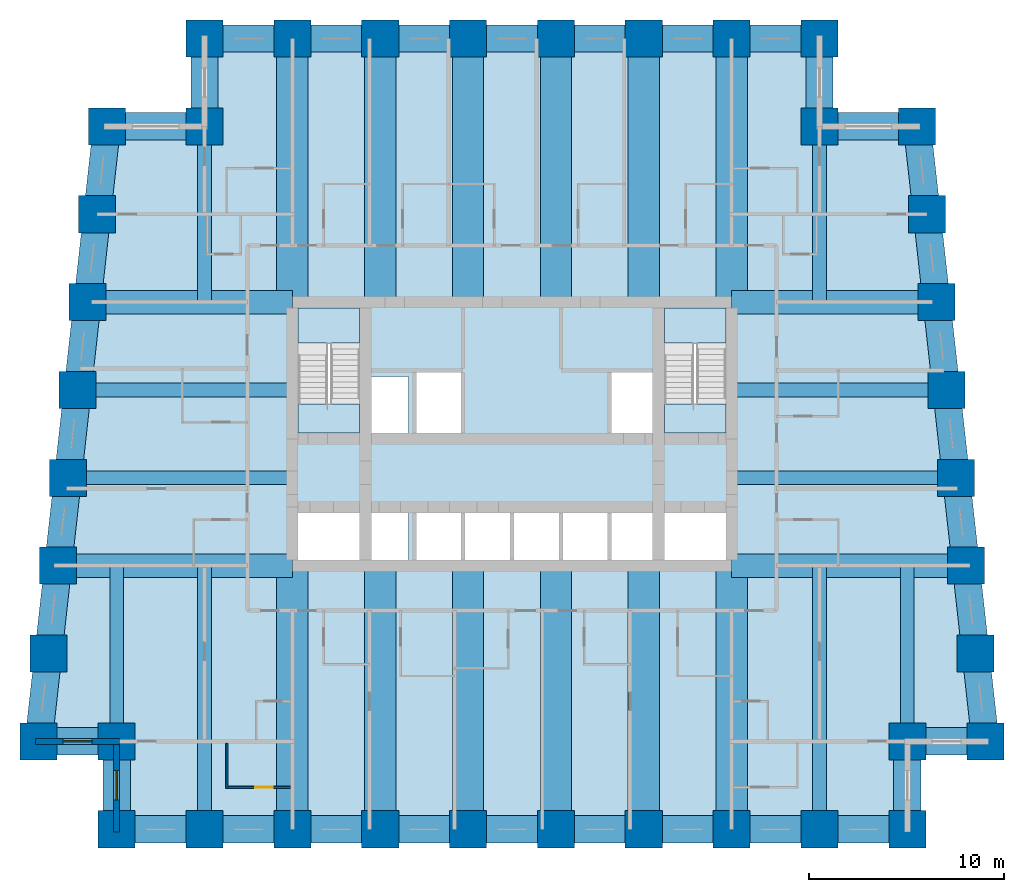
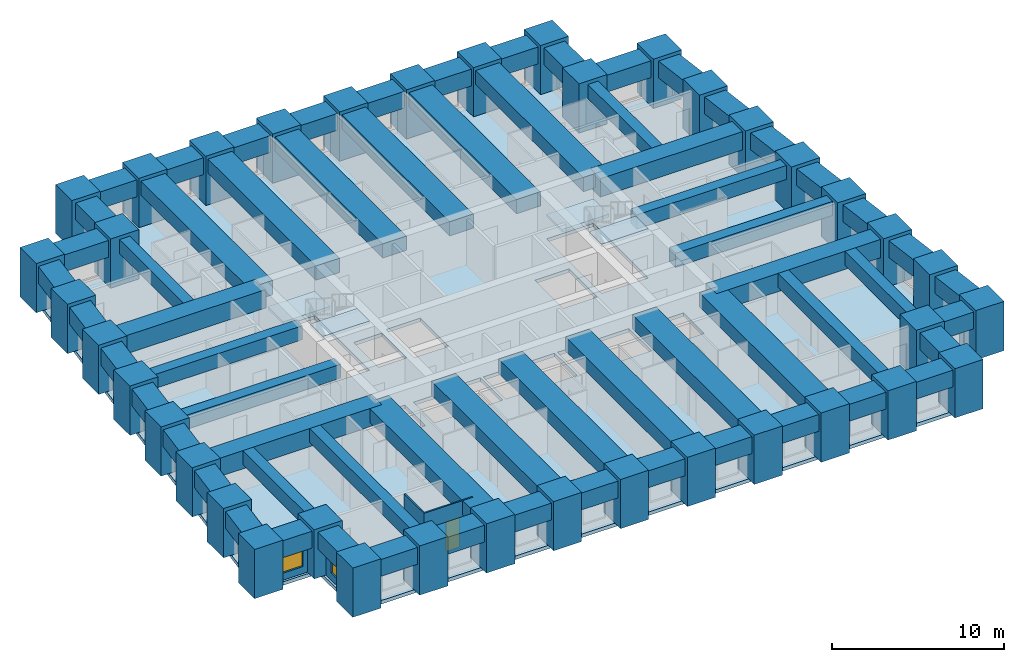
# One storey, part 1 of 8: 64 beams, 38 columns, 5 slabs, 4 walls, 2 windows, 1 door, 3 openings, 2 elements without a shape of their own.
"""IFC4 building model written with IfcOpenShell, lengths in metres."""

from ifc_helpers import new_model, si_unit, direction, frame, frame_2d, origin, origin_2d, place, context, subcontext, project, spatial, polyline, rectangle, outline, extrude, material, layer, layer_set, material_profile, profile_set, type_object, element, fill, aggregate, save


model = new_model("IFC4")

# Units and contexts
model_context = context("Model", 3, precision=1e-05, world=origin(), true_north=direction((0.0, 1.0)))
body_context = subcontext(model_context, "Body", "Model", "MODEL_VIEW")
ifc_project = project(units=[si_unit("LENGTHUNIT", "METRE"), si_unit("AREAUNIT", "SQUARE_METRE"), si_unit("VOLUMEUNIT", "CUBIC_METRE"), si_unit("PLANEANGLEUNIT", "RADIAN"), si_unit("MASSUNIT", "GRAM", prefix="KILO")], contexts=[model_context])

# Site, building, storey
site_placement = place(None, origin())
site = spatial("IfcSite", under=ifc_project, at=site_placement, CompositionType="ELEMENT")
building_placement = place(site_placement, origin())
building = spatial("IfcBuilding", under=site, at=building_placement, Name="Kilele Tower Hotel", CompositionType="ELEMENT")
storey_placement = place(building_placement, frame((0.0, 0.0, 57.699951171875)))
storey = spatial("IfcBuildingStorey", under=building, at=storey_placement, Name="L13", CompositionType="ELEMENT", Elevation=57.699951171875)

# Columns
ifc_material_1 = material(Name="Concrete C80/95", Category="concrete")
ifc_material_profile_1 = material_profile(ifc_material_1, rectangle(XDim=1.89990234375, YDim=1.89990234375, at=origin_2d()))
ifc_profile_set_1 = profile_set([ifc_material_profile_1], Name="Concrete C80/95")
column_type = type_object("IfcColumnType", Name="Tube column RC 1900x1900 C80/95", PredefinedType="COLUMN", material=ifc_profile_set_1)
for number, where, z_axis, x_axis, name in (
    (1, (0.5, 4.5, 0.0), (0.0, 0.0, 1.0), (1.0, 0.0, 0.0), "Column TC1 L13"),
    (2, (4.5, 4.5, 0.0), (0.0, 0.0, 1.0), (1.0, 0.0, 0.0), "Column TC1 L13"),
    (3, (4.5, 0.0, 0.0), (0.0, 0.0, 1.0), (1.0, 0.0, 0.0), "Column TC1 L13"),
    (4, (9.0, 0.0, 0.0), (0.0, 0.0, 1.0), (1.0, 0.0, 0.0), "Column TC1 L13"),
    (5, (13.5, 0.0, 0.0), (0.0, 0.0, 1.0), (1.0, 0.0, 0.0), "Column TC1 L13"),
    (6, (18.0, 0.0, 0.0), (0.0, 0.0, 1.0), (1.0, 0.0, 0.0), "Column TC1 L13"),
    (7, (22.5, 0.0, 0.0), (0.0, 0.0, 1.0), (1.0, 0.0, 0.0), "Column TC1 L13"),
    (8, (27.0, 0.0, 0.0), (0.0, 0.0, 1.0), (1.0, 0.0, 0.0), "Column TC1 L13"),
    (9, (31.5, 0.0, 0.0), (0.0, 0.0, 1.0), (1.0, 0.0, 0.0), "Column TC1 L13"),
    (10, (36.0, 0.0, 0.0), (0.0, 0.0, 1.0), (1.0, 0.0, 0.0), "Column TC1 L13"),
    (11, (40.5, 0.0, 0.0), (0.0, 0.0, 1.0), (1.0, 0.0, 0.0), "Column TC1 L13"),
    (12, (45.0, 0.0, 0.0), (0.0, 0.0, 1.0), (1.0, 0.0, 0.0), "Column TC1 L13"),
    (13, (45.0, 4.5, 0.0), (0.0, 0.0, 1.0), (1.0, 0.0, 0.0), "Column TC1 L13"),
    (14, (49.0, 4.5, 0.0), (0.0, 0.0, 1.0), (1.0, 0.0, 0.0), "Column TC1 L13"),
    (15, (48.5, 9.0, 0.0), (0.0, 0.0, 1.0), (1.0, 0.0, 0.0), "Column TC1 L13"),
    (16, (48.0, 13.5, 0.0), (0.0, 0.0, 1.0), (1.0, 0.0, 0.0), "Column TC1 L13"),
    (17, (47.5, 18.0, 0.0), (0.0, 0.0, 1.0), (1.0, 0.0, 0.0), "Column TC1 L13"),
    (18, (47.0, 22.5, 0.0), (0.0, 0.0, 1.0), (1.0, 0.0, 0.0), "Column TC1 L13"),
    (19, (46.5, 27.0, 0.0), (0.0, 0.0, 1.0), (1.0, 0.0, 0.0), "Column TC1 L13"),
    (20, (46.0, 31.5, 0.0), (0.0, 0.0, 1.0), (1.0, 0.0, 0.0), "Column TC1 L13"),
    (21, (45.5, 36.0, 0.0), (0.0, 0.0, 1.0), (1.0, 0.0, 0.0), "Column TC1 L13"),
    (22, (40.5, 36.0, 0.0), (0.0, 0.0, 1.0), (1.0, 0.0, 0.0), "Column TC1 L13"),
    (23, (40.5, 40.5, 0.0), (0.0, 0.0, 1.0), (1.0, 0.0, 0.0), "Column TC1 L13"),
    (24, (36.0, 40.5, 0.0), (0.0, 0.0, 1.0), (1.0, 0.0, 0.0), "Column TC1 L13"),
    (25, (31.5, 40.5, 0.0), (0.0, 0.0, 1.0), (1.0, 0.0, 0.0), "Column TC1 L13"),
    (26, (27.0, 40.5, 0.0), (0.0, 0.0, 1.0), (1.0, 0.0, 0.0), "Column TC1 L13"),
    (27, (22.5, 40.5, 0.0), (0.0, 0.0, 1.0), (1.0, 0.0, 0.0), "Column TC1 L13"),
    (28, (18.0, 40.5, 0.0), (0.0, 0.0, 1.0), (1.0, 0.0, 0.0), "Column TC1 L13"),
    (29, (13.5, 40.5, 0.0), (0.0, 0.0, 1.0), (1.0, 0.0, 0.0), "Column TC1 L13"),
    (30, (9.0, 40.5, 0.0), (0.0, 0.0, 1.0), (1.0, 0.0, 0.0), "Column TC1 L13"),
    (31, (9.0, 36.0, 0.0), (0.0, 0.0, 1.0), (1.0, 0.0, 0.0), "Column TC1 L13"),
    (32, (4.0, 36.0, 0.0), (0.0, 0.0, 1.0), (1.0, 0.0, 0.0), "Column TC1 L13"),
    (33, (3.5, 31.5, 0.0), (0.0, 0.0, 1.0), (1.0, 0.0, 0.0), "Column TC1 L13"),
    (34, (3.0, 27.0, 0.0), (0.0, 0.0, 1.0), (1.0, 0.0, 0.0), "Column TC1 L13"),
    (35, (2.5, 22.5, 0.0), (0.0, 0.0, 1.0), (1.0, 0.0, 0.0), "Column TC1 L13"),
    (36, (2.0, 18.0, 0.0), (0.0, 0.0, 1.0), (1.0, 0.0, 0.0), "Column TC1 L13"),
    (37, (1.5, 13.5, 0.0), (0.0, 0.0, 1.0), (1.0, 0.0, 0.0), "Column TC1 L13"),
    (38, (1.0, 9.0, 0.0), (0.0, 0.0, 1.0), (1.0, 0.0, 0.0), "Column TC1 L13"),
):
    element("IfcColumn", number, at=place(storey_placement, frame(where, z_axis=z_axis, x_axis=x_axis)), inside=storey, type_object=column_type, Name=name, PredefinedType="COLUMN", context=body_context, shape_type="SweptSolid", body=[
        extrude(rectangle(XDim=1.89990234375, YDim=1.89990234375, at=origin_2d()), origin(), (0.0, 0.0, 1.0), 3.5),
    ])

# Beams
ifc_material_2 = material(Name="Concrete C60/75", Category="concrete")
ifc_material_profile_2 = material_profile(ifc_material_2, rectangle(XDim=1.60009765625, YDim=1.0, at=origin_2d()))
ifc_profile_set_2 = profile_set([ifc_material_profile_2], Name="Concrete C60/75")
beam_type_1 = type_object("IfcBeamType", Name="Beam RC 1600x1000 C60/75", PredefinedType="BEAM", material=ifc_profile_set_2)
for number, where, z_axis, x_axis, name in (
    (39, (13.5, 0.0, 2.75), (0.0, 1.0, 0.0), (-1.0, 0.0, 0.0), "Beam BC1 level L14"),
    (40, (18.0, 0.0, 2.75), (0.0, 1.0, 0.0), (-1.0, 0.0, 0.0), "Beam BC1 level L14"),
    (41, (22.5, 0.0, 2.75), (0.0, 1.0, 0.0), (-1.0, 0.0, 0.0), "Beam BC1 level L14"),
    (42, (27.0, 0.0, 2.75), (0.0, 1.0, 0.0), (-1.0, 0.0, 0.0), "Beam BC1 level L14"),
    (43, (31.5, 0.0, 2.75), (0.0, 1.0, 0.0), (-1.0, 0.0, 0.0), "Beam BC1 level L14"),
    (44, (36.0, 0.0, 2.75), (0.0, 1.0, 0.0), (-1.0, 0.0, 0.0), "Beam BC1 level L14"),
    (45, (36.0, 40.5, 2.75), (0.0, -1.0, 0.0), (1.0, 0.0, 0.0), "Beam BC1 level L14"),
    (46, (31.5, 40.5, 2.75), (0.0, -1.0, 0.0), (1.0, 0.0, 0.0), "Beam BC1 level L14"),
    (47, (27.0, 40.5, 2.75), (0.0, -1.0, 0.0), (1.0, 0.0, 0.0), "Beam BC1 level L14"),
    (48, (22.5, 40.5, 2.75), (0.0, -1.0, 0.0), (1.0, 0.0, 0.0), "Beam BC1 level L14"),
    (49, (18.0, 40.5, 2.75), (0.0, -1.0, 0.0), (1.0, 0.0, 0.0), "Beam BC1 level L14"),
    (50, (13.5, 40.5, 2.75), (0.0, -1.0, 0.0), (1.0, 0.0, 0.0), "Beam BC1 level L14"),
):
    element("IfcBeam", number, at=place(storey_placement, frame(where, z_axis=z_axis, x_axis=x_axis)), inside=storey, type_object=beam_type_1, Name=name, PredefinedType="BEAM", context=body_context, shape_type="SweptSolid", body=[
        extrude(rectangle(XDim=1.60009765625, YDim=1.0, at=origin_2d()), origin(), (0.0, 0.0, 1.0), 13.5),
    ])
ifc_material_3 = material(Name="Concrete C60/75", Category="concrete")
ifc_material_profile_3 = material_profile(ifc_material_3, rectangle(XDim=0.699951171875, YDim=1.0, at=origin_2d()))
ifc_profile_set_3 = profile_set([ifc_material_profile_3], Name="Concrete C60/75")
beam_type_2 = type_object("IfcBeamType", Name="Beam RC 700x1000 C60/75", PredefinedType="BEAM", material=ifc_profile_set_3)
for number, where, z_axis, x_axis, name in (
    (51, (9.0, 0.0, 2.75), (0.0, 1.0, 0.0), (-1.0, 0.0, 0.0), "Beam B4 level L14"),
    (52, (40.5, 0.0, 2.75), (0.0, 1.0, 0.0), (-1.0, 0.0, 0.0), "Beam B4 level L14"),
):
    element("IfcBeam", number, at=place(storey_placement, frame(where, z_axis=z_axis, x_axis=x_axis)), inside=storey, type_object=beam_type_2, Name=name, PredefinedType="BEAM", context=body_context, shape_type="SweptSolid", body=[
        extrude(rectangle(XDim=0.699951171875, YDim=1.0, at=origin_2d()), origin(), (0.0, 0.0, 1.0), 13.5),
    ])
ifc_material_4 = material(Name="Concrete C60/75", Category="concrete")
ifc_material_profile_4 = material_profile(ifc_material_4, rectangle(XDim=0.699951171875, YDim=1.0, at=origin_2d()))
ifc_profile_set_4 = profile_set([ifc_material_profile_4], Name="Concrete C60/75")
beam_type_3 = type_object("IfcBeamType", Name="Beam RC 700x1000 C60/75 mid span", PredefinedType="BEAM", material=ifc_profile_set_4)
for number, where, z_axis, x_axis, name in (
    (53, (4.5, 4.5, 2.75), (0.0, 1.0, 0.0), (-1.0, 0.0, 0.0), "Beam B5 level L14"),
    (54, (45.0, 4.5, 2.75), (0.0, 1.0, 0.0), (-1.0, 0.0, 0.0), "Beam B5 level L14"),
):
    element("IfcBeam", number, at=place(storey_placement, frame(where, z_axis=z_axis, x_axis=x_axis)), inside=storey, type_object=beam_type_3, Name=name, PredefinedType="BEAM", context=body_context, shape_type="SweptSolid", body=[
        extrude(rectangle(XDim=0.699951171875, YDim=1.0, at=origin_2d()), origin(), (0.0, 0.0, 1.0), 9.0),
    ])
beam_1_placement = place(storey_placement, frame((47.5, 18.0, 2.75), z_axis=(-1.0, 0.0, 0.0), x_axis=(0.0, -1.0, 0.0)))
element("IfcBeam", 55, at=beam_1_placement, inside=storey, type_object=beam_type_3, Name="Beam B5 level L14", PredefinedType="BEAM", context=body_context, shape_type="SweptSolid", body=[
    extrude(rectangle(XDim=0.699951171875, YDim=1.0, at=origin_2d()), origin(), (0.0, 0.0, 1.0), 11.5),
])
beam_2_placement = place(storey_placement, frame((47.0, 22.5, 2.75), z_axis=(-1.0, 0.0, 0.0), x_axis=(0.0, -1.0, 0.0)))
element("IfcBeam", 56, at=beam_2_placement, inside=storey, type_object=beam_type_3, Name="Beam B5 level L14", PredefinedType="BEAM", context=body_context, shape_type="SweptSolid", body=[
    extrude(rectangle(XDim=0.699951171875, YDim=1.0, at=origin_2d()), origin(), (0.0, 0.0, 1.0), 11.0),
])
for number, where, z_axis, x_axis, name in (
    (57, (40.5, 36.0, 2.75), (0.0, -1.0, 0.0), (1.0, 0.0, 0.0), "Beam B5 level L14"),
    (58, (9.0, 36.0, 2.75), (0.0, -1.0, 0.0), (1.0, 0.0, 0.0), "Beam B5 level L14"),
):
    element("IfcBeam", number, at=place(storey_placement, frame(where, z_axis=z_axis, x_axis=x_axis)), inside=storey, type_object=beam_type_3, Name=name, PredefinedType="BEAM", context=body_context, shape_type="SweptSolid", body=[
        extrude(rectangle(XDim=0.699951171875, YDim=1.0, at=origin_2d()), origin(), (0.0, 0.0, 1.0), 9.0),
    ])
beam_3_placement = place(storey_placement, frame((2.5, 22.5, 2.75), z_axis=(1.0, 0.0, 0.0), x_axis=(0.0, 1.0, 0.0)))
element("IfcBeam", 59, at=beam_3_placement, inside=storey, type_object=beam_type_3, Name="Beam B5 level L14", PredefinedType="BEAM", context=body_context, shape_type="SweptSolid", body=[
    extrude(rectangle(XDim=0.699951171875, YDim=1.0, at=origin_2d()), origin(), (0.0, 0.0, 1.0), 11.0),
])
beam_4_placement = place(storey_placement, frame((2.0, 18.0, 2.75), z_axis=(1.0, 0.0, 0.0), x_axis=(0.0, 1.0, 0.0)))
element("IfcBeam", 60, at=beam_4_placement, inside=storey, type_object=beam_type_3, Name="Beam B5 level L14", PredefinedType="BEAM", context=body_context, shape_type="SweptSolid", body=[
    extrude(rectangle(XDim=0.699951171875, YDim=1.0, at=origin_2d()), origin(), (0.0, 0.0, 1.0), 11.5),
])
ifc_material_5 = material(Name="Concrete C60/75", Category="concrete")
ifc_material_profile_5 = material_profile(ifc_material_5, rectangle(XDim=1.199951171875, YDim=1.300048828125, at=origin_2d()))
ifc_profile_set_5 = profile_set([ifc_material_profile_5], Name="Concrete C60/75")
beam_type_4 = type_object("IfcBeamType", Name="Girder RC 1200x1300 C60/75", PredefinedType="BEAM", material=ifc_profile_set_5)
for number, where, z_axis, x_axis, name in (
    (61, (48.0, 13.5, 2.60009765625), (-1.0, 0.0, 0.0), (0.0, -1.0, 0.0), "Girder G1 level L14"),
    (62, (1.5, 13.5, 2.60009765625), (1.0, 0.0, 0.0), (0.0, 1.0, 0.0), "Girder G1 level L14"),
):
    element("IfcBeam", number, at=place(storey_placement, frame(where, z_axis=z_axis, x_axis=x_axis)), inside=storey, type_object=beam_type_4, Name=name, PredefinedType="BEAM", context=body_context, shape_type="SweptSolid", body=[
        extrude(rectangle(XDim=1.199951171875, YDim=1.300048828125, at=origin_2d()), origin(), (0.0, 0.0, 1.0), 12.0),
    ])
ifc_material_6 = material(Name="Concrete C60/75", Category="concrete")
ifc_material_profile_6 = material_profile(ifc_material_6, rectangle(XDim=1.199951171875, YDim=1.300048828125, at=origin_2d()))
ifc_profile_set_6 = profile_set([ifc_material_profile_6], Name="Concrete C60/75")
beam_type_5 = type_object("IfcBeamType", Name="Girder RC 1200x1300 C60/75 mid span", PredefinedType="BEAM", material=ifc_profile_set_6)
for number, where, z_axis, x_axis, name in (
    (63, (46.5, 27.0, 2.60009765625), (-1.0, 0.0, 0.0), (0.0, -1.0, 0.0), "Girder G3 level L14"),
    (64, (3.0, 27.0, 2.60009765625), (1.0, 0.0, 0.0), (0.0, 1.0, 0.0), "Girder G3 level L14"),
):
    element("IfcBeam", number, at=place(storey_placement, frame(where, z_axis=z_axis, x_axis=x_axis)), inside=storey, type_object=beam_type_5, Name=name, PredefinedType="BEAM", context=body_context, shape_type="SweptSolid", body=[
        extrude(rectangle(XDim=1.199951171875, YDim=1.300048828125, at=origin_2d()), origin(), (0.0, 0.0, 1.0), 10.5),
    ])
ifc_material_7 = material(Name="Concrete C60/75", Category="concrete")
ifc_material_profile_7 = material_profile(ifc_material_7, rectangle(XDim=1.39990234375, YDim=1.199951171875, at=origin_2d()))
ifc_profile_set_7 = profile_set([ifc_material_profile_7], Name="Concrete C60/75")
beam_type_6 = type_object("IfcBeamType", Name="Spandrel RC 1400x1200 C60/75", PredefinedType="SPANDREL", material=ifc_profile_set_7)
beam_5_placement = place(storey_placement, frame((0.5, 4.5, 2.650146484375), z_axis=(1.0, 0.0, 0.0), x_axis=(0.0, 1.0, 0.0)))
element("IfcBeam", 65, at=beam_5_placement, inside=storey, type_object=beam_type_6, Name="Spandrel SP10 level L14", PredefinedType="SPANDREL", context=body_context, shape_type="SweptSolid", body=[
    extrude(rectangle(XDim=1.39990234375, YDim=1.199951171875, at=origin_2d()), origin(), (0.0, 0.0, 1.0), 4.0),
])
for number, where, z_axis, x_axis, name in (
    (66, (4.5, 4.5, 2.650146484375), (0.0, -1.0, 0.0), (1.0, 0.0, 0.0), "Spandrel SP10 level L14"),
    (67, (4.5, 0.0, 2.650146484375), (1.0, 0.0, 0.0), (0.0, 1.0, 0.0), "Spandrel SP10 level L14"),
    (68, (9.0, 0.0, 2.650146484375), (1.0, 0.0, 0.0), (0.0, 1.0, 0.0), "Spandrel SP10 level L14"),
    (69, (13.5, 0.0, 2.650146484375), (1.0, 0.0, 0.0), (0.0, 1.0, 0.0), "Spandrel SP10 level L14"),
    (70, (18.0, 0.0, 2.650146484375), (1.0, 0.0, 0.0), (0.0, 1.0, 0.0), "Spandrel SP10 level L14"),
    (71, (22.5, 0.0, 2.650146484375), (1.0, 0.0, 0.0), (0.0, 1.0, 0.0), "Spandrel SP10 level L14"),
    (72, (27.0, 0.0, 2.650146484375), (1.0, 0.0, 0.0), (0.0, 1.0, 0.0), "Spandrel SP10 level L14"),
    (73, (31.5, 0.0, 2.650146484375), (1.0, 0.0, 0.0), (0.0, 1.0, 0.0), "Spandrel SP10 level L14"),
    (74, (36.0, 0.0, 2.650146484375), (1.0, 0.0, 0.0), (0.0, 1.0, 0.0), "Spandrel SP10 level L14"),
    (75, (40.5, 0.0, 2.650146484375), (1.0, 0.0, 0.0), (0.0, 1.0, 0.0), "Spandrel SP10 level L14"),
    (76, (45.0, 0.0, 2.650146484375), (0.0, 1.0, 0.0), (-1.0, 0.0, 0.0), "Spandrel SP10 level L14"),
):
    element("IfcBeam", number, at=place(storey_placement, frame(where, z_axis=z_axis, x_axis=x_axis)), inside=storey, type_object=beam_type_6, Name=name, PredefinedType="SPANDREL", context=body_context, shape_type="SweptSolid", body=[
        extrude(rectangle(XDim=1.39990234375, YDim=1.199951171875, at=origin_2d()), origin(), (0.0, 0.0, 1.0), 4.5),
    ])
beam_6_placement = place(storey_placement, frame((45.0, 4.5, 2.650146484375), z_axis=(1.0, 0.0, 0.0), x_axis=(0.0, 1.0, 0.0)))
element("IfcBeam", 77, at=beam_6_placement, inside=storey, type_object=beam_type_6, Name="Spandrel SP10 level L14", PredefinedType="SPANDREL", context=body_context, shape_type="SweptSolid", body=[
    extrude(rectangle(XDim=1.39990234375, YDim=1.199951171875, at=origin_2d()), origin(), (0.0, 0.0, 1.0), 4.0),
])
for number, where, z_axis, x_axis, name in (
    (78, (49.0, 4.5, 2.650146484375), (-0.110431526075, 0.993883734674, 0.0), (-0.993883734674, -0.110431526075, 0.0), "Spandrel SP10 level L14"),
    (79, (48.5, 9.0, 2.650146484375), (-0.110431526075, 0.993883734674, 0.0), (-0.993883734674, -0.110431526075, 0.0), "Spandrel SP10 level L14"),
    (80, (48.0, 13.5, 2.650146484375), (-0.110431526075, 0.993883734674, 0.0), (-0.993883734674, -0.110431526075, 0.0), "Spandrel SP10 level L14"),
    (81, (47.5, 18.0, 2.650146484375), (-0.110431526075, 0.993883734674, 0.0), (-0.993883734674, -0.110431526075, 0.0), "Spandrel SP10 level L14"),
    (82, (47.0, 22.5, 2.650146484375), (-0.110431526075, 0.993883734674, 0.0), (-0.993883734674, -0.110431526075, 0.0), "Spandrel SP10 level L14"),
    (83, (46.5, 27.0, 2.650146484375), (-0.110431526075, 0.993883734674, 0.0), (-0.993883734674, -0.110431526075, 0.0), "Spandrel SP10 level L14"),
    (84, (46.0, 31.5, 2.650146484375), (-0.110431526075, 0.993883734674, 0.0), (-0.993883734674, -0.110431526075, 0.0), "Spandrel SP10 level L14"),
):
    element("IfcBeam", number, at=place(storey_placement, frame(where, z_axis=z_axis, x_axis=x_axis)), inside=storey, type_object=beam_type_6, Name=name, PredefinedType="SPANDREL", context=body_context, shape_type="SweptSolid", body=[
        extrude(rectangle(XDim=1.39990234375, YDim=1.199951171875, at=origin_2d()), origin(), (0.0, 0.0, 1.0), 4.527587890625),
    ])
beam_7_placement = place(storey_placement, frame((45.5, 36.0, 2.650146484375), z_axis=(-1.0, 0.0, 0.0), x_axis=(0.0, -1.0, 0.0)))
element("IfcBeam", 85, at=beam_7_placement, inside=storey, type_object=beam_type_6, Name="Spandrel SP10 level L14", PredefinedType="SPANDREL", context=body_context, shape_type="SweptSolid", body=[
    extrude(rectangle(XDim=1.39990234375, YDim=1.199951171875, at=origin_2d()), origin(), (0.0, 0.0, 1.0), 5.0),
])
for number, where, z_axis, x_axis, name in (
    (86, (40.5, 36.0, 2.650146484375), (0.0, 1.0, 0.0), (-1.0, 0.0, 0.0), "Spandrel SP10 level L14"),
    (87, (40.5, 40.5, 2.650146484375), (-1.0, 0.0, 0.0), (0.0, -1.0, 0.0), "Spandrel SP10 level L14"),
    (88, (36.0, 40.5, 2.650146484375), (-1.0, 0.0, 0.0), (0.0, -1.0, 0.0), "Spandrel SP10 level L14"),
    (89, (31.5, 40.5, 2.650146484375), (-1.0, 0.0, 0.0), (0.0, -1.0, 0.0), "Spandrel SP10 level L14"),
    (90, (27.0, 40.5, 2.650146484375), (-1.0, 0.0, 0.0), (0.0, -1.0, 0.0), "Spandrel SP10 level L14"),
    (91, (22.5, 40.5, 2.650146484375), (-1.0, 0.0, 0.0), (0.0, -1.0, 0.0), "Spandrel SP10 level L14"),
    (92, (18.0, 40.5, 2.650146484375), (-1.0, 0.0, 0.0), (0.0, -1.0, 0.0), "Spandrel SP10 level L14"),
    (93, (13.5, 40.5, 2.650146484375), (-1.0, 0.0, 0.0), (0.0, -1.0, 0.0), "Spandrel SP10 level L14"),
    (94, (9.0, 40.5, 2.650146484375), (0.0, -1.0, 0.0), (1.0, 0.0, 0.0), "Spandrel SP10 level L14"),
):
    element("IfcBeam", number, at=place(storey_placement, frame(where, z_axis=z_axis, x_axis=x_axis)), inside=storey, type_object=beam_type_6, Name=name, PredefinedType="SPANDREL", context=body_context, shape_type="SweptSolid", body=[
        extrude(rectangle(XDim=1.39990234375, YDim=1.199951171875, at=origin_2d()), origin(), (0.0, 0.0, 1.0), 4.5),
    ])
beam_8_placement = place(storey_placement, frame((9.0, 36.0, 2.650146484375), z_axis=(-1.0, 0.0, 0.0), x_axis=(0.0, -1.0, 0.0)))
element("IfcBeam", 95, at=beam_8_placement, inside=storey, type_object=beam_type_6, Name="Spandrel SP10 level L14", PredefinedType="SPANDREL", context=body_context, shape_type="SweptSolid", body=[
    extrude(rectangle(XDim=1.39990234375, YDim=1.199951171875, at=origin_2d()), origin(), (0.0, 0.0, 1.0), 5.0),
])
for number, where, z_axis, x_axis, name in (
    (96, (4.0, 36.0, 2.650146484375), (-0.110431526075, -0.993883734674, 0.0), (0.993883734674, -0.110431526075, 0.0), "Spandrel SP10 level L14"),
    (97, (3.5, 31.5, 2.650146484375), (-0.110431526075, -0.993883734674, 0.0), (0.993883734674, -0.110431526075, 0.0), "Spandrel SP10 level L14"),
    (98, (3.0, 27.0, 2.650146484375), (-0.110431526075, -0.993883734674, 0.0), (0.993883734674, -0.110431526075, 0.0), "Spandrel SP10 level L14"),
    (99, (2.5, 22.5, 2.650146484375), (-0.110431526075, -0.993883734674, 0.0), (0.993883734674, -0.110431526075, 0.0), "Spandrel SP10 level L14"),
    (100, (2.0, 18.0, 2.650146484375), (-0.110431526075, -0.993883734674, 0.0), (0.993883734674, -0.110431526075, 0.0), "Spandrel SP10 level L14"),
    (101, (1.5, 13.5, 2.650146484375), (-0.110431526075, -0.993883734674, 0.0), (0.993883734674, -0.110431526075, 0.0), "Spandrel SP10 level L14"),
    (102, (1.0, 9.0, 2.650146484375), (-0.110431526075, -0.993883734674, 0.0), (0.993883734674, -0.110431526075, 0.0), "Spandrel SP10 level L14"),
):
    element("IfcBeam", number, at=place(storey_placement, frame(where, z_axis=z_axis, x_axis=x_axis)), inside=storey, type_object=beam_type_6, Name=name, PredefinedType="SPANDREL", context=body_context, shape_type="SweptSolid", body=[
        extrude(rectangle(XDim=1.39990234375, YDim=1.199951171875, at=origin_2d()), origin(), (0.0, 0.0, 1.0), 4.527587890625),
    ])

# Slab
ifc_material_8 = material(Name="Concrete C60/75", Category="concrete")
ifc_layer_1 = layer(ifc_material_8, 0.25)
ifc_layer_set_1 = layer_set([ifc_layer_1], Name="Concrete C60/75")
slab_type_1 = type_object("IfcSlabType", Name="Floor slab 250", PredefinedType="FLOOR", material=ifc_layer_set_1)
slab_1_placement = place(storey_placement, frame((0.0, 0.0, -0.25)))
element("IfcSlab", 103, at=slab_1_placement, inside=storey, type_object=slab_type_1, Name="Floor slab L13", PredefinedType="FLOOR", context=body_context, shape_type="SweptSolid", body=[
    extrude(outline(polyline([(8.699951171875, 36.300048828125), (8.699951171875, 40.800048828125), (40.800048828125, 40.800048828125), (40.800048828125, 36.300048828125), (45.7685546875, 36.300048828125), (49.335205078125, 4.199951171875), (45.300048828125, 4.199951171875), (45.300048828125, -0.300048828125), (4.199951171875, -0.300048828125), (4.199951171875, 4.199951171875), (0.164794921875, 4.199951171875), (3.7314453125, 36.300048828125), (8.699951171875, 36.300048828125)]), holes=[polyline([(16.949951171875, 16.199951171875), (13.800048828125, 16.199951171875), (13.800048828125, 13.800048828125), (16.949951171875, 13.800048828125), (16.949951171875, 16.199951171875)]), polyline([(19.449951171875, 13.800048828125), (19.449951171875, 16.199951171875), (17.550048828125, 16.199951171875), (17.550048828125, 13.800048828125), (19.449951171875, 13.800048828125)]), polyline([(22.14990234375, 13.800048828125), (22.14990234375, 16.39990234375), (19.85009765625, 16.39990234375), (19.85009765625, 13.800048828125), (22.14990234375, 13.800048828125)]), polyline([(24.64990234375, 16.39990234375), (22.35009765625, 16.39990234375), (22.35009765625, 13.800048828125), (24.64990234375, 13.800048828125), (24.64990234375, 16.39990234375)]), polyline([(19.449951171875, 20.300048828125), (19.449951171875, 23.199951171875), (17.550048828125, 23.199951171875), (17.550048828125, 20.300048828125), (19.449951171875, 20.300048828125)]), polyline([(22.14990234375, 20.10009765625), (22.14990234375, 23.39990234375), (19.85009765625, 23.39990234375), (19.85009765625, 20.10009765625), (22.14990234375, 20.10009765625)]), polyline([(16.949951171875, 26.699951171875), (13.800048828125, 26.699951171875), (13.800048828125, 20.300048828125), (16.949951171875, 20.300048828125), (16.949951171875, 26.699951171875)]), polyline([(35.699951171875, 13.800048828125), (35.699951171875, 16.199951171875), (32.550048828125, 16.199951171875), (32.550048828125, 13.800048828125), (35.699951171875, 13.800048828125)]), polyline([(27.14990234375, 13.800048828125), (27.14990234375, 16.39990234375), (24.85009765625, 16.39990234375), (24.85009765625, 13.800048828125), (27.14990234375, 13.800048828125)]), polyline([(29.64990234375, 13.800048828125), (29.64990234375, 16.39990234375), (27.35009765625, 16.39990234375), (27.35009765625, 13.800048828125), (29.64990234375, 13.800048828125)]), polyline([(32.14990234375, 13.800048828125), (32.14990234375, 16.39990234375), (29.85009765625, 16.39990234375), (29.85009765625, 13.800048828125), (32.14990234375, 13.800048828125)]), polyline([(32.14990234375, 20.10009765625), (32.14990234375, 23.39990234375), (29.85009765625, 23.39990234375), (29.85009765625, 20.10009765625), (32.14990234375, 20.10009765625)]), polyline([(35.699951171875, 20.300048828125), (35.699951171875, 26.699951171875), (32.550048828125, 26.699951171875), (32.550048828125, 20.300048828125), (35.699951171875, 20.300048828125)])]), origin(), (0.0, 0.0, 1.0), 0.25),
])

# Stair, slabs
ifc_material_9 = material(Name="Precast concrete C40/50", Category="concrete")
stair_type = type_object("IfcStairType", Name="Stair 1475 x 3500", PredefinedType="HALF_TURN_STAIR", material=ifc_material_9)
stair_1_placement = place(storey_placement, origin())
stair_1 = element("IfcStair", 104, at=stair_1_placement, inside=storey, type_object=stair_type, Name="Stair 1 L13", PredefinedType="HALF_TURN_STAIR")
ifc_material_10 = material(Name="Precast concrete C40/50", Category="concrete")
ifc_layer_2 = layer(ifc_material_10, 0.199951171875)
ifc_layer_set_2 = layer_set([ifc_layer_2], Name="Precast concrete C40/50")
slab_type_2 = type_object("IfcSlabType", Name="Stair landing 200", PredefinedType="LANDING", material=ifc_layer_set_2)
slab_2_placement = place(storey_placement, frame((0.0, 0.0, 1.550048828125)))
slab_2 = element("IfcSlab", 105, at=slab_2_placement, type_object=slab_type_2, Name="ST1 landing 1", PredefinedType="LANDING", context=body_context, shape_type="SweptSolid", body=[
    extrude(outline(polyline([(13.800048828125, 24.89501953125), (16.949951171875, 24.89501953125), (16.949951171875, 26.699951171875), (13.800048828125, 26.699951171875), (13.800048828125, 24.89501953125)])), origin(), (0.0, 0.0, 1.0), 0.199951171875),
])
slab_3_placement = place(storey_placement, frame((0.0, 0.0, 3.300048828125)))
slab_3 = element("IfcSlab", 106, at=slab_3_placement, type_object=slab_type_2, Name="ST1 landing 2", PredefinedType="LANDING", context=body_context, shape_type="SweptSolid", body=[
    extrude(outline(polyline([(13.800048828125, 20.300048828125), (16.949951171875, 20.300048828125), (16.949951171875, 21.77490234375), (13.800048828125, 21.77490234375), (13.800048828125, 20.300048828125)])), origin(), (0.0, 0.0, 1.0), 0.199951171875),
])
aggregate(stair_1, [slab_2, slab_3])

stair_2_placement = place(storey_placement, origin())
stair_2 = element("IfcStair", 107, at=stair_2_placement, inside=storey, type_object=stair_type, Name="Stair 2 L13", PredefinedType="HALF_TURN_STAIR")
slab_4_placement = place(storey_placement, frame((0.0, 0.0, 1.550048828125)))
slab_4 = element("IfcSlab", 108, at=slab_4_placement, type_object=slab_type_2, Name="ST2 landing 1", PredefinedType="LANDING", context=body_context, shape_type="SweptSolid", body=[
    extrude(outline(polyline([(32.550048828125, 24.89501953125), (35.699951171875, 24.89501953125), (35.699951171875, 26.699951171875), (32.550048828125, 26.699951171875), (32.550048828125, 24.89501953125)])), origin(), (0.0, 0.0, 1.0), 0.199951171875),
])
slab_5_placement = place(storey_placement, frame((0.0, 0.0, 3.300048828125)))
slab_5 = element("IfcSlab", 109, at=slab_5_placement, type_object=slab_type_2, Name="ST2 landing 2", PredefinedType="LANDING", context=body_context, shape_type="SweptSolid", body=[
    extrude(outline(polyline([(32.550048828125, 20.300048828125), (35.699951171875, 20.300048828125), (35.699951171875, 21.77490234375), (32.550048828125, 21.77490234375), (32.550048828125, 20.300048828125)])), origin(), (0.0, 0.0, 1.0), 0.199951171875),
])
aggregate(stair_2, [slab_4, slab_5])

# Wall
ifc_material_11 = material(Name="Moisture-resistant board")
ifc_layer_3 = layer(ifc_material_11, 0.10009765625)
ifc_layer_set_3 = layer_set([ifc_layer_3], Name="Moisture-resistant board")
wall_type_1 = type_object("IfcWallType", Name="Bathroom partition 100", PredefinedType="PLUMBINGWALL", material=ifc_layer_set_3)
wall_1_placement = place(storey_placement, frame((10.14990234375, 4.39990234375, 0.0), z_axis=(0.0, 0.0, 1.0), x_axis=(0.0, -1.0, 0.0)))
element("IfcWall", 110, at=wall_1_placement, inside=storey, type_object=wall_type_1, Name="Bathroom partition 100 L13", PredefinedType="PLUMBINGWALL", context=body_context, shape_type="SweptSolid", body=[
    extrude(rectangle(XDim=2.2998046875, YDim=0.10009765625, at=frame_2d((1.14990234375, 0.0))), origin(), (0.0, 0.0, 1.0), 3.25),
])

# Wall, opening, door
wall_2_placement = place(storey_placement, frame((13.39990234375, 2.14990234375, 0.0), z_axis=(0.0, 0.0, 1.0), x_axis=(-1.0, 0.0, 0.0)))
wall_2 = element("IfcWall", 111, at=wall_2_placement, inside=storey, type_object=wall_type_1, Name="Bathroom partition 100 L13", PredefinedType="PLUMBINGWALL", context=body_context, shape_type="SweptSolid", body=[
    extrude(rectangle(XDim=3.2998046875, YDim=0.10009765625, at=frame_2d((1.64990234375, 0.0))), origin(), (0.0, 0.0, 1.0), 3.25),
])
opening_1_placement = place(wall_2_placement, frame((0.89990234375, 0.0, 0.0)))
opening_1 = element("IfcOpeningElement", 112, at=opening_1_placement, cuts=wall_2, Name="Opening D2A", PredefinedType="OPENING", context=body_context, shape_type="SweptSolid", body=[
    extrude(rectangle(XDim=0.89990234375, YDim=2.10009765625, at=frame_2d((0.449951171875, 1.050048828125))), frame((0.0, 0.06005859375, 0.0), z_axis=(0.0, -1.0, 0.0), x_axis=(1.0, 0.0, 0.0)), (0.0, 0.0, 1.0), 0.1201171875),
])
ifc_material_12 = material(Name="Timber door leaf in hardwood frame", Category="wood")
door_type = type_object("IfcDoorType", Name="Bathroom door 900", OperationType="SINGLE_SWING_LEFT", PredefinedType="DOOR", material=ifc_material_12)
door_placement = place(opening_1_placement, origin())
door = element("IfcDoor", 113, at=door_placement, inside=storey, type_object=door_type, Name="Bathroom door 1319B", OperationType="SINGLE_SWING_LEFT", OverallHeight=2.10009765625, OverallWidth=0.89990234375, PredefinedType="DOOR", context=body_context, shape_type="SweptSolid", body=[
    extrude(rectangle(XDim=0.89990234375, YDim=2.10009765625, at=frame_2d((0.449951171875, 1.050048828125))), frame((0.0, 0.02490234375, 0.0), z_axis=(0.0, -1.0, 0.0), x_axis=(1.0, 0.0, 0.0)), (0.0, 0.0, 1.0), 0.050048828125),
])
fill(opening_1, door)

# Wall, opening, window
ifc_material_13 = material(Name="Concrete C40/50 precast", Category="concrete")
ifc_layer_4 = layer(ifc_material_13, 0.260009765625, Name="Precast backing", Category="LoadBearing")
ifc_material_14 = material(Name="Reconstituted stone finish", Category="masonry")
ifc_layer_5 = layer(ifc_material_14, 0.0400390625, Name="Face mix", Category="Finish")
ifc_layer_set_4 = layer_set([ifc_layer_4, ifc_layer_5], Name="Precast concrete C40/50, reconstituted stone finish")
wall_type_2 = type_object("IfcWallType", Name="Precast stone facade wall 300", PredefinedType="STANDARD", material=ifc_layer_set_4)
wall_3_placement = place(storey_placement, frame((0.35009765625, 4.5, 0.0), z_axis=(0.0, 0.0, 1.0), x_axis=(1.0, 0.0, 0.0)))
wall_3 = element("IfcWall", 114, at=wall_3_placement, inside=storey, type_object=wall_type_2, Name="Facade wall L13 edge 1", PredefinedType="STANDARD", context=body_context, shape_type="SweptSolid", body=[
    extrude(rectangle(XDim=4.2998046875, YDim=0.300048828125, at=frame_2d((2.14990234375, 0.0))), origin(), (0.0, 0.0, 1.0), 2.050048828125),
])
opening_2_placement = place(wall_3_placement, frame((1.39990234375, 0.0, 0.5)))
opening_2 = element("IfcOpeningElement", 115, at=opening_2_placement, cuts=wall_3, Name="Opening W1", PredefinedType="OPENING", context=body_context, shape_type="SweptSolid", body=[
    extrude(rectangle(XDim=1.5, YDim=1.39990234375, at=frame_2d((0.75, 0.699951171875))), frame((0.0, 0.159912109375, 0.0), z_axis=(0.0, -1.0, 0.0), x_axis=(1.0, 0.0, 0.0)), (0.0, 0.0, 1.0), 0.320068359375),
])
ifc_material_15 = material(Name="Aluminium frame, clear double glazing", Category="aluminium")
window_type = type_object("IfcWindowType", Name="Window W1 1500 x 1400", PartitioningType="SINGLE_PANEL", PredefinedType="WINDOW", material=ifc_material_15)
window_1_placement = place(opening_2_placement, origin())
window_1 = element("IfcWindow", 116, at=window_1_placement, inside=storey, type_object=window_type, Name="Window L13", OverallHeight=1.39990234375, OverallWidth=1.5, PartitioningType="SINGLE_PANEL", PredefinedType="WINDOW", context=body_context, shape_type="SweptSolid", body=[
    extrude(rectangle(XDim=1.5, YDim=1.39990234375, at=frame_2d((0.75, 0.699951171875))), frame((0.0, 0.030029296875, 0.0), z_axis=(0.0, -1.0, 0.0), x_axis=(1.0, 0.0, 0.0)), (0.0, 0.0, 1.0), 0.06005859375),
])
fill(opening_2, window_1)

wall_4_placement = place(storey_placement, frame((4.5, 4.64990234375, 0.0), z_axis=(0.0, 0.0, 1.0), x_axis=(0.0, -1.0, 0.0)))
wall_4 = element("IfcWall", 117, at=wall_4_placement, inside=storey, type_object=wall_type_2, Name="Facade wall L13 edge 2", PredefinedType="STANDARD", context=body_context, shape_type="SweptSolid", body=[
    extrude(rectangle(XDim=4.7998046875, YDim=0.300048828125, at=frame_2d((2.39990234375, 0.0))), origin(), (0.0, 0.0, 1.0), 2.050048828125),
])
opening_3_placement = place(wall_4_placement, frame((1.64990234375, 0.0, 0.5)))
opening_3 = element("IfcOpeningElement", 118, at=opening_3_placement, cuts=wall_4, Name="Opening W1", PredefinedType="OPENING", context=body_context, shape_type="SweptSolid", body=[
    extrude(rectangle(XDim=1.5, YDim=1.39990234375, at=frame_2d((0.75, 0.699951171875))), frame((0.0, 0.159912109375, 0.0), z_axis=(0.0, -1.0, 0.0), x_axis=(1.0, 0.0, 0.0)), (0.0, 0.0, 1.0), 0.320068359375),
])
window_2_placement = place(opening_3_placement, origin())
window_2 = element("IfcWindow", 119, at=window_2_placement, inside=storey, type_object=window_type, Name="Window L13", OverallHeight=1.39990234375, OverallWidth=1.5, PartitioningType="SINGLE_PANEL", PredefinedType="WINDOW", context=body_context, shape_type="SweptSolid", body=[
    extrude(rectangle(XDim=1.5, YDim=1.39990234375, at=frame_2d((0.75, 0.699951171875))), frame((0.0, 0.030029296875, 0.0), z_axis=(0.0, -1.0, 0.0), x_axis=(1.0, 0.0, 0.0)), (0.0, 0.0, 1.0), 0.06005859375),
])
fill(opening_3, window_2)

save(model, "model.ifc")
